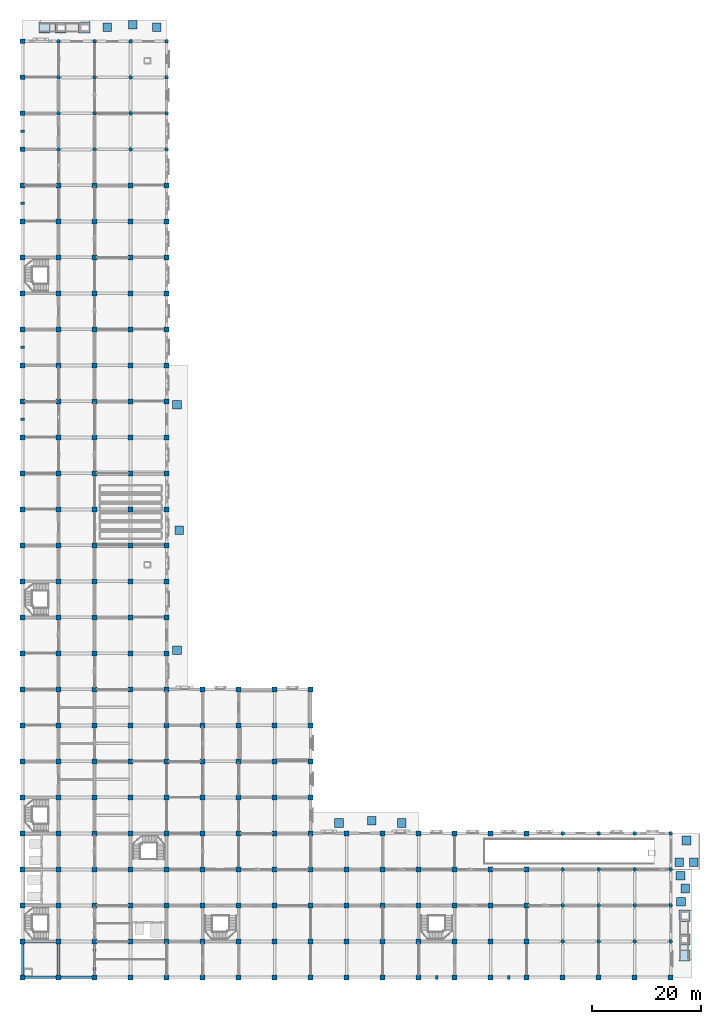
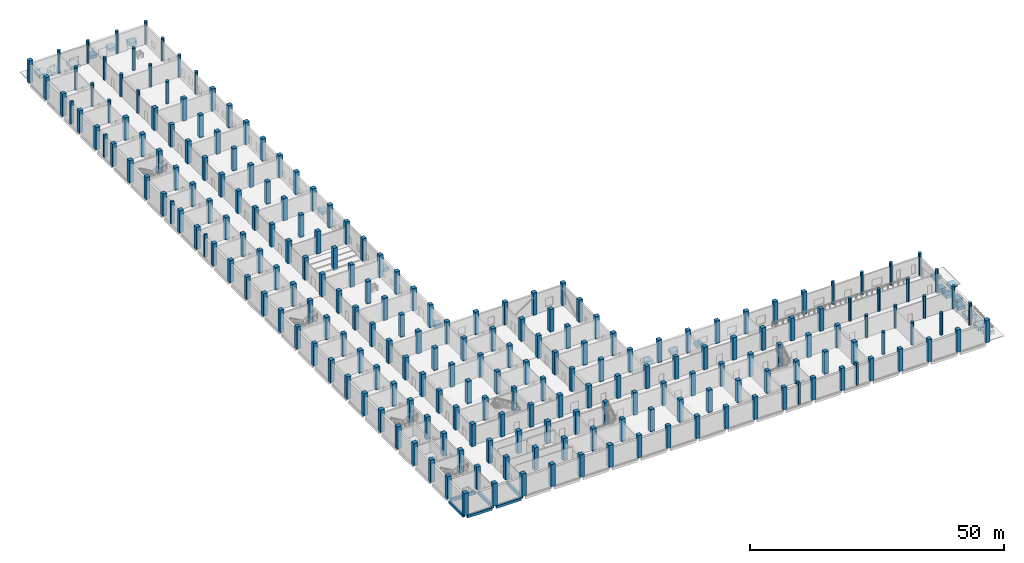
# One storey, part 1 of 28: 227 columns, 21 footings, 6 beams.
"""IFC4 building model written with IfcOpenShell, lengths in metres."""

from ifc_helpers import new_model, si_unit, direction, frame, origin, origin_2d, place, context, subcontext, project, spatial, rectangle, circle, extrude, material, material_profile, profile_set, type_object, element, save


model = new_model("IFC4")

# Units and contexts
model_context = context("Model", 3, precision=1e-05, world=origin(), true_north=direction((0.0, 1.0)))
body_context = subcontext(model_context, "Body", "Model", "MODEL_VIEW")
ifc_project = project(units=[si_unit("LENGTHUNIT", "METRE"), si_unit("AREAUNIT", "SQUARE_METRE"), si_unit("VOLUMEUNIT", "CUBIC_METRE"), si_unit("PLANEANGLEUNIT", "RADIAN"), si_unit("MASSUNIT", "GRAM", prefix="KILO")], contexts=[model_context])

# Site, building, storey
site_placement = place(None, origin())
site = spatial("IfcSite", under=ifc_project, at=site_placement, CompositionType="ELEMENT")
building_placement = place(site_placement, origin())
building = spatial("IfcBuilding", under=site, at=building_placement, Name="Rusizi Kubbe Research Institute", CompositionType="ELEMENT")
storey_placement = place(building_placement, origin())
storey = spatial("IfcBuildingStorey", under=building, at=storey_placement, Name="L00", CompositionType="ELEMENT", Elevation=0.0)

# Footings
ifc_material_1 = material(Name="Concrete C40/50", Category="concrete")
footing_type_1 = type_object("IfcFootingType", Name="PF-04", PredefinedType="PAD_FOOTING", material=ifc_material_1)
for number, where, z_axis, x_axis, name in (
    (1, (15.5, 174.199951171875, -0.9501953125), (0.0, 0.0, 1.0), (1.0, 0.0, 0.0), "Forecourt Threshold Grade Pad NORTH-STREET-1-1"),
    (2, (20.199951171875, 174.60009765625, -0.9501953125), (0.0, 0.0, 1.0), (1.0, 0.0, 0.0), "Forecourt Threshold Grade Pad NORTH-STREET-1-2"),
    (3, (24.60009765625, 174.14990234375, -0.9501953125), (0.0, 0.0, 1.0), (1.0, 0.0, 0.0), "Forecourt Threshold Grade Pad NORTH-STREET-1-3"),
    (4, (120.699951171875, 13.89990234375, -0.9501953125), (0.0, 0.0, 1.0), (1.0, 0.0, 0.0), "Forecourt Threshold Grade Pad EAST-STREET-1-1"),
    (5, (121.5, 16.300048828125, -0.9501953125), (0.0, 0.0, 1.0), (1.0, 0.0, 0.0), "Forecourt Threshold Grade Pad EAST-STREET-1-2"),
    (6, (120.60009765625, 18.60009765625, -0.9501953125), (0.0, 0.0, 1.0), (1.0, 0.0, 0.0), "Forecourt Threshold Grade Pad EAST-STREET-1-3"),
    (7, (120.39990234375, 21.10009765625, -0.9501953125), (0.0, 0.0, 1.0), (1.0, 0.0, 0.0), "Forecourt Threshold Grade Pad VEH-DRIVEWAY-1-1"),
    (8, (123.0, 21.10009765625, -0.9501953125), (0.0, 0.0, 1.0), (1.0, 0.0, 0.0), "Forecourt Threshold Grade Pad VEH-DRIVEWAY-1-2"),
    (9, (121.699951171875, 25.10009765625, -0.9501953125), (0.0, 0.0, 1.0), (1.0, 0.0, 0.0), "Forecourt Threshold Grade Pad VEH-DRIVEWAY-1-3"),
    (10, (28.300048828125, 60.0, -0.9501953125), (0.0, 0.0, 1.0), (1.0, 0.0, 0.0), "Forecourt Threshold Grade Pad CLOISTER-WEST-1-1"),
    (11, (28.75, 82.0, -0.9501953125), (0.0, 0.0, 1.0), (1.0, 0.0, 0.0), "Forecourt Threshold Grade Pad CLOISTER-WEST-1-2"),
    (12, (28.300048828125, 105.0, -0.9501953125), (0.0, 0.0, 1.0), (1.0, 0.0, 0.0), "Forecourt Threshold Grade Pad CLOISTER-WEST-1-3"),
    (13, (58.0, 28.300048828125, -0.9501953125), (0.0, 0.0, 1.0), (1.0, 0.0, 0.0), "Forecourt Threshold Grade Pad CLOISTER-SOUTH-1-1"),
    (14, (64.0, 28.75, -0.9501953125), (0.0, 0.0, 1.0), (1.0, 0.0, 0.0), "Forecourt Threshold Grade Pad CLOISTER-SOUTH-1-2"),
    (15, (69.5, 28.300048828125, -0.9501953125), (0.0, 0.0, 1.0), (1.0, 0.0, 0.0), "Forecourt Threshold Grade Pad CLOISTER-SOUTH-1-3"),
):
    element("IfcFooting", number, at=place(storey_placement, frame(where, z_axis=z_axis, x_axis=x_axis)), inside=storey, type_object=footing_type_1, Name=name, PredefinedType="PAD_FOOTING", context=body_context, shape_type="SweptSolid", body=[
        extrude(rectangle(XDim=1.580078125, YDim=1.580078125, at=origin_2d()), origin(), (0.0, 0.0, 1.0), 0.800048828125),
    ])
ifc_material_2 = material(Name="Concrete C40/50", Category="concrete")
footing_type_2 = type_object("IfcFootingType", Name="PF-08", PredefinedType="PAD_FOOTING", material=ifc_material_2)
for number, where, z_axis, x_axis, name in (
    (16, (4.050048828125, 174.10009765625, -1.240234375), (0.0, 0.0, 1.0), (1.0, 0.0, 0.0), "Ramp Toe Footing RAMP-NORTH-01-1"),
    (17, (6.93994140625, 174.10009765625, -1.72021484375), (0.0, 0.0, 1.0), (1.0, 0.0, 0.0), "Ramp Landing Footing RAMP-NORTH-01-2"),
    (18, (11.300048828125, 174.10009765625, -1.72021484375), (0.0, 0.0, 1.0), (1.0, 0.0, 0.0), "Ramp Landing Footing RAMP-NORTH-01-3"),
    (19, (121.300048828125, 4.050048828125, -1.240234375), (0.0, 0.0, 1.0), (1.0, 0.0, 0.0), "Ramp Toe Footing RAMP-EAST-01-1"),
    (20, (121.300048828125, 6.93994140625, -1.72021484375), (0.0, 0.0, 1.0), (1.0, 0.0, 0.0), "Ramp Landing Footing RAMP-EAST-01-2"),
    (21, (121.300048828125, 11.300048828125, -1.72021484375), (0.0, 0.0, 1.0), (1.0, 0.0, 0.0), "Ramp Landing Footing RAMP-EAST-01-3"),
):
    element("IfcFooting", number, at=place(storey_placement, frame(where, z_axis=z_axis, x_axis=x_axis)), inside=storey, type_object=footing_type_2, Name=name, PredefinedType="PAD_FOOTING", context=body_context, shape_type="SweptSolid", body=[
        extrude(rectangle(XDim=2.0400390625, YDim=2.0400390625, at=origin_2d()), origin(), (0.0, 0.0, 1.0), 0.820068359375),
    ])

# Columns
ifc_material_3 = material(Name="Concrete C45/55", Category="concrete")
ifc_material_profile_1 = material_profile(ifc_material_3, rectangle(XDim=0.89990234375, YDim=0.89990234375, at=origin_2d()), Name="RC900x900")
ifc_profile_set_1 = profile_set([ifc_material_profile_1], Name="Concrete C45/55")
column_type_1 = type_object("IfcColumnType", Name="COL-900", PredefinedType="COLUMN", material=ifc_profile_set_1)
for number, where, z_axis, x_axis, name in (
    (22, (0.0, 59.39990234375, 0.0), (0.0, 0.0, 1.0), (1.0, 0.0, 0.0), "Column 1K L00"),
    (23, (0.0, 66.0, 0.0), (0.0, 0.0, 1.0), (1.0, 0.0, 0.0), "Column 1L L00"),
    (24, (0.0, 72.60009765625, 0.0), (0.0, 0.0, 1.0), (1.0, 0.0, 0.0), "Column 1M L00"),
    (25, (0.0, 79.199951171875, 0.0), (0.0, 0.0, 1.0), (1.0, 0.0, 0.0), "Column 1N L00"),
    (26, (0.0, 85.800048828125, 0.0), (0.0, 0.0, 1.0), (1.0, 0.0, 0.0), "Column 1P L00"),
    (27, (0.0, 92.39990234375, 0.0), (0.0, 0.0, 1.0), (1.0, 0.0, 0.0), "Column 1Q L00"),
    (28, (0.0, 99.0, 0.0), (0.0, 0.0, 1.0), (1.0, 0.0, 0.0), "Column 1R L00"),
    (29, (0.0, 105.60009765625, 0.0), (0.0, 0.0, 1.0), (1.0, 0.0, 0.0), "Column 1S L00"),
    (30, (0.0, 112.199951171875, 0.0), (0.0, 0.0, 1.0), (1.0, 0.0, 0.0), "Column 1T L00"),
    (31, (0.0, 118.800048828125, 0.0), (0.0, 0.0, 1.0), (1.0, 0.0, 0.0), "Column 1U L00"),
    (32, (0.0, 125.39990234375, 0.0), (0.0, 0.0, 1.0), (1.0, 0.0, 0.0), "Column 1V L00"),
    (33, (0.0, 132.0, 0.0), (0.0, 0.0, 1.0), (1.0, 0.0, 0.0), "Column 1W L00"),
    (34, (0.0, 138.60009765625, 0.0), (0.0, 0.0, 1.0), (1.0, 0.0, 0.0), "Column 1X L00"),
    (35, (0.0, 145.199951171875, 0.0), (0.0, 0.0, 1.0), (1.0, 0.0, 0.0), "Column 1Y L00"),
    (36, (0.0, 151.800048828125, 0.0), (0.0, 0.0, 1.0), (1.0, 0.0, 0.0), "Column 1Z L00"),
    (37, (0.0, 158.39990234375, 0.0), (0.0, 0.0, 1.0), (1.0, 0.0, 0.0), "Column 1AA L00"),
    (38, (0.0, 165.0, 0.0), (0.0, 0.0, 1.0), (1.0, 0.0, 0.0), "Column 1AB L00"),
    (39, (0.0, 171.60009765625, 0.0), (0.0, 0.0, 1.0), (1.0, 0.0, 0.0), "Column 1AC L00"),
    (40, (6.60009765625, 59.39990234375, 0.0), (0.0, 0.0, 1.0), (1.0, 0.0, 0.0), "Column 2K L00"),
    (41, (6.60009765625, 66.0, 0.0), (0.0, 0.0, 1.0), (1.0, 0.0, 0.0), "Column 2L L00"),
    (42, (6.60009765625, 72.60009765625, 0.0), (0.0, 0.0, 1.0), (1.0, 0.0, 0.0), "Column 2M L00"),
    (43, (6.60009765625, 79.199951171875, 0.0), (0.0, 0.0, 1.0), (1.0, 0.0, 0.0), "Column 2N L00"),
    (44, (6.60009765625, 85.800048828125, 0.0), (0.0, 0.0, 1.0), (1.0, 0.0, 0.0), "Column 2P L00"),
    (45, (6.60009765625, 92.39990234375, 0.0), (0.0, 0.0, 1.0), (1.0, 0.0, 0.0), "Column 2Q L00"),
    (46, (6.60009765625, 99.0, 0.0), (0.0, 0.0, 1.0), (1.0, 0.0, 0.0), "Column 2R L00"),
    (47, (6.60009765625, 105.60009765625, 0.0), (0.0, 0.0, 1.0), (1.0, 0.0, 0.0), "Column 2S L00"),
    (48, (6.60009765625, 112.199951171875, 0.0), (0.0, 0.0, 1.0), (1.0, 0.0, 0.0), "Column 2T L00"),
    (49, (6.60009765625, 118.800048828125, 0.0), (0.0, 0.0, 1.0), (1.0, 0.0, 0.0), "Column 2U L00"),
    (50, (6.60009765625, 125.39990234375, 0.0), (0.0, 0.0, 1.0), (1.0, 0.0, 0.0), "Column 2V L00"),
    (51, (6.60009765625, 132.0, 0.0), (0.0, 0.0, 1.0), (1.0, 0.0, 0.0), "Column 2W L00"),
    (52, (6.60009765625, 138.60009765625, 0.0), (0.0, 0.0, 1.0), (1.0, 0.0, 0.0), "Column 2X L00"),
    (53, (6.60009765625, 145.199951171875, 0.0), (0.0, 0.0, 1.0), (1.0, 0.0, 0.0), "Column 2Y L00"),
    (54, (13.199951171875, 59.39990234375, 0.0), (0.0, 0.0, 1.0), (1.0, 0.0, 0.0), "Column 3K L00"),
    (55, (13.199951171875, 66.0, 0.0), (0.0, 0.0, 1.0), (1.0, 0.0, 0.0), "Column 3L L00"),
    (56, (13.199951171875, 72.60009765625, 0.0), (0.0, 0.0, 1.0), (1.0, 0.0, 0.0), "Column 3M L00"),
    (57, (13.199951171875, 79.199951171875, 0.0), (0.0, 0.0, 1.0), (1.0, 0.0, 0.0), "Column 3N L00"),
    (58, (13.199951171875, 85.800048828125, 0.0), (0.0, 0.0, 1.0), (1.0, 0.0, 0.0), "Column 3P L00"),
    (59, (13.199951171875, 92.39990234375, 0.0), (0.0, 0.0, 1.0), (1.0, 0.0, 0.0), "Column 3Q L00"),
    (60, (13.199951171875, 99.0, 0.0), (0.0, 0.0, 1.0), (1.0, 0.0, 0.0), "Column 3R L00"),
    (61, (13.199951171875, 105.60009765625, 0.0), (0.0, 0.0, 1.0), (1.0, 0.0, 0.0), "Column 3S L00"),
    (62, (13.199951171875, 112.199951171875, 0.0), (0.0, 0.0, 1.0), (1.0, 0.0, 0.0), "Column 3T L00"),
    (63, (13.199951171875, 118.800048828125, 0.0), (0.0, 0.0, 1.0), (1.0, 0.0, 0.0), "Column 3U L00"),
    (64, (13.199951171875, 125.39990234375, 0.0), (0.0, 0.0, 1.0), (1.0, 0.0, 0.0), "Column 3V L00"),
    (65, (13.199951171875, 132.0, 0.0), (0.0, 0.0, 1.0), (1.0, 0.0, 0.0), "Column 3W L00"),
    (66, (13.199951171875, 138.60009765625, 0.0), (0.0, 0.0, 1.0), (1.0, 0.0, 0.0), "Column 3X L00"),
    (67, (13.199951171875, 145.199951171875, 0.0), (0.0, 0.0, 1.0), (1.0, 0.0, 0.0), "Column 3Y L00"),
    (68, (19.800048828125, 59.39990234375, 0.0), (0.0, 0.0, 1.0), (1.0, 0.0, 0.0), "Column 4K L00"),
    (69, (19.800048828125, 66.0, 0.0), (0.0, 0.0, 1.0), (1.0, 0.0, 0.0), "Column 4L L00"),
    (70, (19.800048828125, 72.60009765625, 0.0), (0.0, 0.0, 1.0), (1.0, 0.0, 0.0), "Column 4M L00"),
    (71, (19.800048828125, 79.199951171875, 0.0), (0.0, 0.0, 1.0), (1.0, 0.0, 0.0), "Column 4N L00"),
    (72, (19.800048828125, 85.800048828125, 0.0), (0.0, 0.0, 1.0), (1.0, 0.0, 0.0), "Column 4P L00"),
    (73, (19.800048828125, 92.39990234375, 0.0), (0.0, 0.0, 1.0), (1.0, 0.0, 0.0), "Column 4Q L00"),
    (74, (19.800048828125, 99.0, 0.0), (0.0, 0.0, 1.0), (1.0, 0.0, 0.0), "Column 4R L00"),
    (75, (19.800048828125, 105.60009765625, 0.0), (0.0, 0.0, 1.0), (1.0, 0.0, 0.0), "Column 4S L00"),
    (76, (19.800048828125, 112.199951171875, 0.0), (0.0, 0.0, 1.0), (1.0, 0.0, 0.0), "Column 4T L00"),
    (77, (19.800048828125, 118.800048828125, 0.0), (0.0, 0.0, 1.0), (1.0, 0.0, 0.0), "Column 4U L00"),
    (78, (19.800048828125, 125.39990234375, 0.0), (0.0, 0.0, 1.0), (1.0, 0.0, 0.0), "Column 4V L00"),
    (79, (19.800048828125, 132.0, 0.0), (0.0, 0.0, 1.0), (1.0, 0.0, 0.0), "Column 4W L00"),
    (80, (19.800048828125, 138.60009765625, 0.0), (0.0, 0.0, 1.0), (1.0, 0.0, 0.0), "Column 4X L00"),
    (81, (19.800048828125, 145.199951171875, 0.0), (0.0, 0.0, 1.0), (1.0, 0.0, 0.0), "Column 4Y L00"),
    (82, (26.39990234375, 26.39990234375, 0.0), (0.0, 0.0, 1.0), (1.0, 0.0, 0.0), "Column 5E L00"),
    (83, (26.39990234375, 33.0, 0.0), (0.0, 0.0, 1.0), (1.0, 0.0, 0.0), "Column 5F L00"),
    (84, (26.39990234375, 39.60009765625, 0.0), (0.0, 0.0, 1.0), (1.0, 0.0, 0.0), "Column 5G L00"),
    (85, (26.39990234375, 46.199951171875, 0.0), (0.0, 0.0, 1.0), (1.0, 0.0, 0.0), "Column 5H L00"),
    (86, (26.39990234375, 52.800048828125, 0.0), (0.0, 0.0, 1.0), (1.0, 0.0, 0.0), "Column 5J L00"),
    (87, (26.39990234375, 59.39990234375, 0.0), (0.0, 0.0, 1.0), (1.0, 0.0, 0.0), "Column 5K L00"),
    (88, (26.39990234375, 66.0, 0.0), (0.0, 0.0, 1.0), (1.0, 0.0, 0.0), "Column 5L L00"),
    (89, (26.39990234375, 72.60009765625, 0.0), (0.0, 0.0, 1.0), (1.0, 0.0, 0.0), "Column 5M L00"),
    (90, (26.39990234375, 79.199951171875, 0.0), (0.0, 0.0, 1.0), (1.0, 0.0, 0.0), "Column 5N L00"),
    (91, (26.39990234375, 85.800048828125, 0.0), (0.0, 0.0, 1.0), (1.0, 0.0, 0.0), "Column 5P L00"),
    (92, (26.39990234375, 92.39990234375, 0.0), (0.0, 0.0, 1.0), (1.0, 0.0, 0.0), "Column 5Q L00"),
    (93, (26.39990234375, 99.0, 0.0), (0.0, 0.0, 1.0), (1.0, 0.0, 0.0), "Column 5R L00"),
    (94, (26.39990234375, 105.60009765625, 0.0), (0.0, 0.0, 1.0), (1.0, 0.0, 0.0), "Column 5S L00"),
    (95, (26.39990234375, 112.199951171875, 0.0), (0.0, 0.0, 1.0), (1.0, 0.0, 0.0), "Column 5T L00"),
    (96, (26.39990234375, 118.800048828125, 0.0), (0.0, 0.0, 1.0), (1.0, 0.0, 0.0), "Column 5U L00"),
    (97, (26.39990234375, 125.39990234375, 0.0), (0.0, 0.0, 1.0), (1.0, 0.0, 0.0), "Column 5V L00"),
    (98, (26.39990234375, 132.0, 0.0), (0.0, 0.0, 1.0), (1.0, 0.0, 0.0), "Column 5W L00"),
    (99, (26.39990234375, 138.60009765625, 0.0), (0.0, 0.0, 1.0), (1.0, 0.0, 0.0), "Column 5X L00"),
    (100, (26.39990234375, 145.199951171875, 0.0), (0.0, 0.0, 1.0), (1.0, 0.0, 0.0), "Column 5Y L00"),
    (101, (33.0, 26.39990234375, 0.0), (0.0, 0.0, 1.0), (1.0, 0.0, 0.0), "Column 6E L00"),
    (102, (33.0, 33.0, 0.0), (0.0, 0.0, 1.0), (1.0, 0.0, 0.0), "Column 6F L00"),
    (103, (33.0, 39.60009765625, 0.0), (0.0, 0.0, 1.0), (1.0, 0.0, 0.0), "Column 6G L00"),
    (104, (33.0, 46.199951171875, 0.0), (0.0, 0.0, 1.0), (1.0, 0.0, 0.0), "Column 6H L00"),
    (105, (33.0, 52.800048828125, 0.0), (0.0, 0.0, 1.0), (1.0, 0.0, 0.0), "Column 6J L00"),
    (106, (39.60009765625, 0.0, 0.0), (0.0, 0.0, 1.0), (1.0, 0.0, 0.0), "Column 7A L00"),
    (107, (39.60009765625, 6.60009765625, 0.0), (0.0, 0.0, 1.0), (1.0, 0.0, 0.0), "Column 7B L00"),
    (108, (39.60009765625, 13.199951171875, 0.0), (0.0, 0.0, 1.0), (1.0, 0.0, 0.0), "Column 7C L00"),
    (109, (39.60009765625, 19.800048828125, 0.0), (0.0, 0.0, 1.0), (1.0, 0.0, 0.0), "Column 7D L00"),
    (110, (39.60009765625, 26.39990234375, 0.0), (0.0, 0.0, 1.0), (1.0, 0.0, 0.0), "Column 7E L00"),
    (111, (39.60009765625, 33.0, 0.0), (0.0, 0.0, 1.0), (1.0, 0.0, 0.0), "Column 7F L00"),
    (112, (39.60009765625, 39.60009765625, 0.0), (0.0, 0.0, 1.0), (1.0, 0.0, 0.0), "Column 7G L00"),
    (113, (39.60009765625, 46.199951171875, 0.0), (0.0, 0.0, 1.0), (1.0, 0.0, 0.0), "Column 7H L00"),
    (114, (39.60009765625, 52.800048828125, 0.0), (0.0, 0.0, 1.0), (1.0, 0.0, 0.0), "Column 7J L00"),
    (115, (46.199951171875, 0.0, 0.0), (0.0, 0.0, 1.0), (1.0, 0.0, 0.0), "Column 8A L00"),
    (116, (46.199951171875, 6.60009765625, 0.0), (0.0, 0.0, 1.0), (1.0, 0.0, 0.0), "Column 8B L00"),
    (117, (46.199951171875, 13.199951171875, 0.0), (0.0, 0.0, 1.0), (1.0, 0.0, 0.0), "Column 8C L00"),
    (118, (46.199951171875, 19.800048828125, 0.0), (0.0, 0.0, 1.0), (1.0, 0.0, 0.0), "Column 8D L00"),
    (119, (46.199951171875, 26.39990234375, 0.0), (0.0, 0.0, 1.0), (1.0, 0.0, 0.0), "Column 8E L00"),
    (120, (46.199951171875, 33.0, 0.0), (0.0, 0.0, 1.0), (1.0, 0.0, 0.0), "Column 8F L00"),
    (121, (46.199951171875, 39.60009765625, 0.0), (0.0, 0.0, 1.0), (1.0, 0.0, 0.0), "Column 8G L00"),
    (122, (46.199951171875, 46.199951171875, 0.0), (0.0, 0.0, 1.0), (1.0, 0.0, 0.0), "Column 8H L00"),
    (123, (46.199951171875, 52.800048828125, 0.0), (0.0, 0.0, 1.0), (1.0, 0.0, 0.0), "Column 8J L00"),
    (124, (52.800048828125, 0.0, 0.0), (0.0, 0.0, 1.0), (1.0, 0.0, 0.0), "Column 9A L00"),
    (125, (52.800048828125, 6.60009765625, 0.0), (0.0, 0.0, 1.0), (1.0, 0.0, 0.0), "Column 9B L00"),
    (126, (52.800048828125, 13.199951171875, 0.0), (0.0, 0.0, 1.0), (1.0, 0.0, 0.0), "Column 9C L00"),
    (127, (52.800048828125, 19.800048828125, 0.0), (0.0, 0.0, 1.0), (1.0, 0.0, 0.0), "Column 9D L00"),
    (128, (52.800048828125, 26.39990234375, 0.0), (0.0, 0.0, 1.0), (1.0, 0.0, 0.0), "Column 9E L00"),
    (129, (52.800048828125, 33.0, 0.0), (0.0, 0.0, 1.0), (1.0, 0.0, 0.0), "Column 9F L00"),
    (130, (52.800048828125, 39.60009765625, 0.0), (0.0, 0.0, 1.0), (1.0, 0.0, 0.0), "Column 9G L00"),
    (131, (52.800048828125, 46.199951171875, 0.0), (0.0, 0.0, 1.0), (1.0, 0.0, 0.0), "Column 9H L00"),
    (132, (52.800048828125, 52.800048828125, 0.0), (0.0, 0.0, 1.0), (1.0, 0.0, 0.0), "Column 9J L00"),
    (133, (59.39990234375, 0.0, 0.0), (0.0, 0.0, 1.0), (1.0, 0.0, 0.0), "Column 10A L00"),
    (134, (59.39990234375, 6.60009765625, 0.0), (0.0, 0.0, 1.0), (1.0, 0.0, 0.0), "Column 10B L00"),
    (135, (59.39990234375, 13.199951171875, 0.0), (0.0, 0.0, 1.0), (1.0, 0.0, 0.0), "Column 10C L00"),
    (136, (59.39990234375, 19.800048828125, 0.0), (0.0, 0.0, 1.0), (1.0, 0.0, 0.0), "Column 10D L00"),
    (137, (59.39990234375, 26.39990234375, 0.0), (0.0, 0.0, 1.0), (1.0, 0.0, 0.0), "Column 10E L00"),
    (138, (66.0, 0.0, 0.0), (0.0, 0.0, 1.0), (1.0, 0.0, 0.0), "Column 11A L00"),
    (139, (66.0, 6.60009765625, 0.0), (0.0, 0.0, 1.0), (1.0, 0.0, 0.0), "Column 11B L00"),
    (140, (66.0, 13.199951171875, 0.0), (0.0, 0.0, 1.0), (1.0, 0.0, 0.0), "Column 11C L00"),
    (141, (66.0, 19.800048828125, 0.0), (0.0, 0.0, 1.0), (1.0, 0.0, 0.0), "Column 11D L00"),
    (142, (66.0, 26.39990234375, 0.0), (0.0, 0.0, 1.0), (1.0, 0.0, 0.0), "Column 11E L00"),
    (143, (72.60009765625, 0.0, 0.0), (0.0, 0.0, 1.0), (1.0, 0.0, 0.0), "Column 12A L00"),
    (144, (72.60009765625, 6.60009765625, 0.0), (0.0, 0.0, 1.0), (1.0, 0.0, 0.0), "Column 12B L00"),
    (145, (72.60009765625, 13.199951171875, 0.0), (0.0, 0.0, 1.0), (1.0, 0.0, 0.0), "Column 12C L00"),
    (146, (72.60009765625, 19.800048828125, 0.0), (0.0, 0.0, 1.0), (1.0, 0.0, 0.0), "Column 12D L00"),
    (147, (72.60009765625, 26.39990234375, 0.0), (0.0, 0.0, 1.0), (1.0, 0.0, 0.0), "Column 12E L00"),
    (148, (79.199951171875, 0.0, 0.0), (0.0, 0.0, 1.0), (1.0, 0.0, 0.0), "Column 13A L00"),
    (149, (79.199951171875, 6.60009765625, 0.0), (0.0, 0.0, 1.0), (1.0, 0.0, 0.0), "Column 13B L00"),
    (150, (79.199951171875, 13.199951171875, 0.0), (0.0, 0.0, 1.0), (1.0, 0.0, 0.0), "Column 13C L00"),
    (151, (79.199951171875, 19.800048828125, 0.0), (0.0, 0.0, 1.0), (1.0, 0.0, 0.0), "Column 13D L00"),
    (152, (79.199951171875, 26.39990234375, 0.0), (0.0, 0.0, 1.0), (1.0, 0.0, 0.0), "Column 13E L00"),
    (153, (85.800048828125, 0.0, 0.0), (0.0, 0.0, 1.0), (1.0, 0.0, 0.0), "Column 14A L00"),
    (154, (85.800048828125, 6.60009765625, 0.0), (0.0, 0.0, 1.0), (1.0, 0.0, 0.0), "Column 14B L00"),
    (155, (85.800048828125, 13.199951171875, 0.0), (0.0, 0.0, 1.0), (1.0, 0.0, 0.0), "Column 14C L00"),
    (156, (85.800048828125, 19.800048828125, 0.0), (0.0, 0.0, 1.0), (1.0, 0.0, 0.0), "Column 14D L00"),
    (157, (85.800048828125, 26.39990234375, 0.0), (0.0, 0.0, 1.0), (1.0, 0.0, 0.0), "Column 14E L00"),
    (158, (92.39990234375, 0.0, 0.0), (0.0, 0.0, 1.0), (1.0, 0.0, 0.0), "Column 15A L00"),
    (159, (92.39990234375, 6.60009765625, 0.0), (0.0, 0.0, 1.0), (1.0, 0.0, 0.0), "Column 15B L00"),
    (160, (92.39990234375, 13.199951171875, 0.0), (0.0, 0.0, 1.0), (1.0, 0.0, 0.0), "Column 15C L00"),
    (161, (92.39990234375, 19.800048828125, 0.0), (0.0, 0.0, 1.0), (1.0, 0.0, 0.0), "Column 15D L00"),
    (162, (92.39990234375, 26.39990234375, 0.0), (0.0, 0.0, 1.0), (1.0, 0.0, 0.0), "Column 15E L00"),
    (163, (99.0, 0.0, 0.0), (0.0, 0.0, 1.0), (1.0, 0.0, 0.0), "Column 16A L00"),
    (164, (105.60009765625, 0.0, 0.0), (0.0, 0.0, 1.0), (1.0, 0.0, 0.0), "Column 17A L00"),
    (165, (112.199951171875, 0.0, 0.0), (0.0, 0.0, 1.0), (1.0, 0.0, 0.0), "Column 18A L00"),
    (166, (118.800048828125, 0.0, 0.0), (0.0, 0.0, 1.0), (1.0, 0.0, 0.0), "Column 19A L00"),
):
    element("IfcColumn", number, at=place(storey_placement, frame(where, z_axis=z_axis, x_axis=x_axis)), inside=storey, type_object=column_type_1, Name=name, PredefinedType="COLUMN", context=body_context, shape_type="SweptSolid", body=[
        extrude(rectangle(XDim=0.89990234375, YDim=0.89990234375, at=origin_2d()), origin(), (0.0, 0.0, 1.0), 5.39990234375),
    ])
ifc_material_4 = material(Name="Concrete C45/55", Category="concrete")
ifc_material_profile_2 = material_profile(ifc_material_4, rectangle(XDim=0.949951171875, YDim=0.949951171875, at=origin_2d()), Name="RC950x950")
ifc_profile_set_2 = profile_set([ifc_material_profile_2], Name="Concrete C45/55")
column_type_2 = type_object("IfcColumnType", Name="COL-950", PredefinedType="COLUMN", material=ifc_profile_set_2)
for number, where, z_axis, x_axis, name in (
    (167, (0.0, 0.0, 0.0), (0.0, 0.0, 1.0), (1.0, 0.0, 0.0), "Column 1A L00"),
    (168, (0.0, 6.60009765625, 0.0), (0.0, 0.0, 1.0), (1.0, 0.0, 0.0), "Column 1B L00"),
    (169, (0.0, 13.199951171875, 0.0), (0.0, 0.0, 1.0), (1.0, 0.0, 0.0), "Column 1C L00"),
    (170, (0.0, 19.800048828125, 0.0), (0.0, 0.0, 1.0), (1.0, 0.0, 0.0), "Column 1D L00"),
    (171, (0.0, 26.39990234375, 0.0), (0.0, 0.0, 1.0), (1.0, 0.0, 0.0), "Column 1E L00"),
    (172, (0.0, 33.0, 0.0), (0.0, 0.0, 1.0), (1.0, 0.0, 0.0), "Column 1F L00"),
    (173, (0.0, 39.60009765625, 0.0), (0.0, 0.0, 1.0), (1.0, 0.0, 0.0), "Column 1G L00"),
    (174, (0.0, 46.199951171875, 0.0), (0.0, 0.0, 1.0), (1.0, 0.0, 0.0), "Column 1H L00"),
    (175, (0.0, 52.800048828125, 0.0), (0.0, 0.0, 1.0), (1.0, 0.0, 0.0), "Column 1J L00"),
    (176, (6.60009765625, 0.0, 0.0), (0.0, 0.0, 1.0), (1.0, 0.0, 0.0), "Column 2A L00"),
    (177, (6.60009765625, 6.60009765625, 0.0), (0.0, 0.0, 1.0), (1.0, 0.0, 0.0), "Column 2B L00"),
    (178, (6.60009765625, 13.199951171875, 0.0), (0.0, 0.0, 1.0), (1.0, 0.0, 0.0), "Column 2C L00"),
    (179, (6.60009765625, 19.800048828125, 0.0), (0.0, 0.0, 1.0), (1.0, 0.0, 0.0), "Column 2D L00"),
    (180, (6.60009765625, 26.39990234375, 0.0), (0.0, 0.0, 1.0), (1.0, 0.0, 0.0), "Column 2E L00"),
    (181, (6.60009765625, 33.0, 0.0), (0.0, 0.0, 1.0), (1.0, 0.0, 0.0), "Column 2F L00"),
    (182, (6.60009765625, 39.60009765625, 0.0), (0.0, 0.0, 1.0), (1.0, 0.0, 0.0), "Column 2G L00"),
    (183, (6.60009765625, 46.199951171875, 0.0), (0.0, 0.0, 1.0), (1.0, 0.0, 0.0), "Column 2H L00"),
    (184, (6.60009765625, 52.800048828125, 0.0), (0.0, 0.0, 1.0), (1.0, 0.0, 0.0), "Column 2J L00"),
    (185, (13.199951171875, 0.0, 0.0), (0.0, 0.0, 1.0), (1.0, 0.0, 0.0), "Column 3A L00"),
    (186, (13.199951171875, 6.60009765625, 0.0), (0.0, 0.0, 1.0), (1.0, 0.0, 0.0), "Column 3B L00"),
    (187, (13.199951171875, 13.199951171875, 0.0), (0.0, 0.0, 1.0), (1.0, 0.0, 0.0), "Column 3C L00"),
    (188, (13.199951171875, 19.800048828125, 0.0), (0.0, 0.0, 1.0), (1.0, 0.0, 0.0), "Column 3D L00"),
    (189, (13.199951171875, 26.39990234375, 0.0), (0.0, 0.0, 1.0), (1.0, 0.0, 0.0), "Column 3E L00"),
    (190, (13.199951171875, 33.0, 0.0), (0.0, 0.0, 1.0), (1.0, 0.0, 0.0), "Column 3F L00"),
    (191, (13.199951171875, 39.60009765625, 0.0), (0.0, 0.0, 1.0), (1.0, 0.0, 0.0), "Column 3G L00"),
    (192, (13.199951171875, 46.199951171875, 0.0), (0.0, 0.0, 1.0), (1.0, 0.0, 0.0), "Column 3H L00"),
    (193, (13.199951171875, 52.800048828125, 0.0), (0.0, 0.0, 1.0), (1.0, 0.0, 0.0), "Column 3J L00"),
    (194, (19.800048828125, 0.0, 0.0), (0.0, 0.0, 1.0), (1.0, 0.0, 0.0), "Column 4A L00"),
    (195, (19.800048828125, 6.60009765625, 0.0), (0.0, 0.0, 1.0), (1.0, 0.0, 0.0), "Column 4B L00"),
    (196, (19.800048828125, 13.199951171875, 0.0), (0.0, 0.0, 1.0), (1.0, 0.0, 0.0), "Column 4C L00"),
    (197, (19.800048828125, 19.800048828125, 0.0), (0.0, 0.0, 1.0), (1.0, 0.0, 0.0), "Column 4D L00"),
    (198, (19.800048828125, 26.39990234375, 0.0), (0.0, 0.0, 1.0), (1.0, 0.0, 0.0), "Column 4E L00"),
    (199, (19.800048828125, 33.0, 0.0), (0.0, 0.0, 1.0), (1.0, 0.0, 0.0), "Column 4F L00"),
    (200, (19.800048828125, 39.60009765625, 0.0), (0.0, 0.0, 1.0), (1.0, 0.0, 0.0), "Column 4G L00"),
    (201, (19.800048828125, 46.199951171875, 0.0), (0.0, 0.0, 1.0), (1.0, 0.0, 0.0), "Column 4H L00"),
    (202, (19.800048828125, 52.800048828125, 0.0), (0.0, 0.0, 1.0), (1.0, 0.0, 0.0), "Column 4J L00"),
    (203, (26.39990234375, 0.0, 0.0), (0.0, 0.0, 1.0), (1.0, 0.0, 0.0), "Column 5A L00"),
    (204, (26.39990234375, 6.60009765625, 0.0), (0.0, 0.0, 1.0), (1.0, 0.0, 0.0), "Column 5B L00"),
    (205, (26.39990234375, 13.199951171875, 0.0), (0.0, 0.0, 1.0), (1.0, 0.0, 0.0), "Column 5C L00"),
    (206, (26.39990234375, 19.800048828125, 0.0), (0.0, 0.0, 1.0), (1.0, 0.0, 0.0), "Column 5D L00"),
    (207, (33.0, 0.0, 0.0), (0.0, 0.0, 1.0), (1.0, 0.0, 0.0), "Column 6A L00"),
    (208, (33.0, 6.60009765625, 0.0), (0.0, 0.0, 1.0), (1.0, 0.0, 0.0), "Column 6B L00"),
    (209, (33.0, 13.199951171875, 0.0), (0.0, 0.0, 1.0), (1.0, 0.0, 0.0), "Column 6C L00"),
    (210, (33.0, 19.800048828125, 0.0), (0.0, 0.0, 1.0), (1.0, 0.0, 0.0), "Column 6D L00"),
):
    element("IfcColumn", number, at=place(storey_placement, frame(where, z_axis=z_axis, x_axis=x_axis)), inside=storey, type_object=column_type_2, Name=name, PredefinedType="COLUMN", context=body_context, shape_type="SweptSolid", body=[
        extrude(rectangle(XDim=0.949951171875, YDim=0.949951171875, at=origin_2d()), origin(), (0.0, 0.0, 1.0), 5.39990234375),
    ])
ifc_material_5 = material(Name="Concrete C45/55", Category="concrete")
ifc_material_profile_3 = material_profile(ifc_material_5, circle(Radius=0.35009765625, at=origin_2d()), Name="RCD700")
ifc_profile_set_3 = profile_set([ifc_material_profile_3], Name="Concrete C45/55")
column_type_3 = type_object("IfcColumnType", Name="COL-RCD700", PredefinedType="COLUMN", material=ifc_profile_set_3)
for number, where, z_axis, x_axis, name in (
    (211, (6.60009765625, 151.800048828125, 0.0), (0.0, 0.0, 1.0), (1.0, 0.0, 0.0), "Column 2Z L00"),
    (212, (6.60009765625, 158.39990234375, 0.0), (0.0, 0.0, 1.0), (1.0, 0.0, 0.0), "Column 2AA L00"),
    (213, (6.60009765625, 165.0, 0.0), (0.0, 0.0, 1.0), (1.0, 0.0, 0.0), "Column 2AB L00"),
    (214, (6.60009765625, 171.60009765625, 0.0), (0.0, 0.0, 1.0), (1.0, 0.0, 0.0), "Column 2AC L00"),
    (215, (13.199951171875, 151.800048828125, 0.0), (0.0, 0.0, 1.0), (1.0, 0.0, 0.0), "Column 3Z L00"),
    (216, (13.199951171875, 158.39990234375, 0.0), (0.0, 0.0, 1.0), (1.0, 0.0, 0.0), "Column 3AA L00"),
    (217, (13.199951171875, 165.0, 0.0), (0.0, 0.0, 1.0), (1.0, 0.0, 0.0), "Column 3AB L00"),
    (218, (13.199951171875, 171.60009765625, 0.0), (0.0, 0.0, 1.0), (1.0, 0.0, 0.0), "Column 3AC L00"),
    (219, (19.800048828125, 151.800048828125, 0.0), (0.0, 0.0, 1.0), (1.0, 0.0, 0.0), "Column 4Z L00"),
    (220, (19.800048828125, 158.39990234375, 0.0), (0.0, 0.0, 1.0), (1.0, 0.0, 0.0), "Column 4AA L00"),
    (221, (19.800048828125, 165.0, 0.0), (0.0, 0.0, 1.0), (1.0, 0.0, 0.0), "Column 4AB L00"),
    (222, (19.800048828125, 171.60009765625, 0.0), (0.0, 0.0, 1.0), (1.0, 0.0, 0.0), "Column 4AC L00"),
    (223, (26.39990234375, 151.800048828125, 0.0), (0.0, 0.0, 1.0), (1.0, 0.0, 0.0), "Column 5Z L00"),
    (224, (26.39990234375, 158.39990234375, 0.0), (0.0, 0.0, 1.0), (1.0, 0.0, 0.0), "Column 5AA L00"),
    (225, (26.39990234375, 165.0, 0.0), (0.0, 0.0, 1.0), (1.0, 0.0, 0.0), "Column 5AB L00"),
    (226, (26.39990234375, 171.60009765625, 0.0), (0.0, 0.0, 1.0), (1.0, 0.0, 0.0), "Column 5AC L00"),
    (227, (99.0, 6.60009765625, 0.0), (0.0, 0.0, 1.0), (1.0, 0.0, 0.0), "Column 16B L00"),
    (228, (99.0, 13.199951171875, 0.0), (0.0, 0.0, 1.0), (1.0, 0.0, 0.0), "Column 16C L00"),
    (229, (99.0, 19.800048828125, 0.0), (0.0, 0.0, 1.0), (1.0, 0.0, 0.0), "Column 16D L00"),
    (230, (99.0, 26.39990234375, 0.0), (0.0, 0.0, 1.0), (1.0, 0.0, 0.0), "Column 16E L00"),
    (231, (105.60009765625, 6.60009765625, 0.0), (0.0, 0.0, 1.0), (1.0, 0.0, 0.0), "Column 17B L00"),
    (232, (105.60009765625, 13.199951171875, 0.0), (0.0, 0.0, 1.0), (1.0, 0.0, 0.0), "Column 17C L00"),
    (233, (105.60009765625, 19.800048828125, 0.0), (0.0, 0.0, 1.0), (1.0, 0.0, 0.0), "Column 17D L00"),
    (234, (105.60009765625, 26.39990234375, 0.0), (0.0, 0.0, 1.0), (1.0, 0.0, 0.0), "Column 17E L00"),
    (235, (112.199951171875, 6.60009765625, 0.0), (0.0, 0.0, 1.0), (1.0, 0.0, 0.0), "Column 18B L00"),
    (236, (112.199951171875, 13.199951171875, 0.0), (0.0, 0.0, 1.0), (1.0, 0.0, 0.0), "Column 18C L00"),
    (237, (112.199951171875, 19.800048828125, 0.0), (0.0, 0.0, 1.0), (1.0, 0.0, 0.0), "Column 18D L00"),
    (238, (112.199951171875, 26.39990234375, 0.0), (0.0, 0.0, 1.0), (1.0, 0.0, 0.0), "Column 18E L00"),
    (239, (118.800048828125, 6.60009765625, 0.0), (0.0, 0.0, 1.0), (1.0, 0.0, 0.0), "Column 19B L00"),
    (240, (118.800048828125, 13.199951171875, 0.0), (0.0, 0.0, 1.0), (1.0, 0.0, 0.0), "Column 19C L00"),
    (241, (118.800048828125, 19.800048828125, 0.0), (0.0, 0.0, 1.0), (1.0, 0.0, 0.0), "Column 19D L00"),
    (242, (118.800048828125, 26.39990234375, 0.0), (0.0, 0.0, 1.0), (1.0, 0.0, 0.0), "Column 19E L00"),
):
    element("IfcColumn", number, at=place(storey_placement, frame(where, z_axis=z_axis, x_axis=x_axis)), inside=storey, type_object=column_type_3, Name=name, PredefinedType="COLUMN", context=body_context, shape_type="SweptSolid", body=[
        extrude(circle(Radius=0.35009765625, at=origin_2d()), origin(), (0.0, 0.0, 1.0), 5.39990234375),
    ])
ifc_material_6 = material(Name="Concrete C40/50", Category="concrete")
ifc_material_profile_4 = material_profile(ifc_material_6, rectangle(XDim=0.449951171875, YDim=0.699951171875, at=origin_2d()), Name="RC450x700")
ifc_profile_set_4 = profile_set([ifc_material_profile_4], Name="Concrete C40/50")
column_type_4 = type_object("IfcColumnType", Name="PIL-450x700", PredefinedType="PILASTER", material=ifc_profile_set_4)
for number, where, z_axis, x_axis, name in (
    (243, (0.0, 102.300048828125, 0.0), (0.0, 0.0, 1.0), (0.0, 1.0, 0.0), "Portal Pilaster W15 L00"),
    (244, (0.0, 115.5, 0.0), (0.0, 0.0, 1.0), (0.0, 1.0, 0.0), "Portal Pilaster W17 L00"),
    (245, (0.0, 141.89990234375, 0.0), (0.0, 0.0, 1.0), (0.0, 1.0, 0.0), "Portal Pilaster W21 L00"),
    (246, (0.0, 155.10009765625, 0.0), (0.0, 0.0, 1.0), (0.0, 1.0, 0.0), "Portal Pilaster W23 L00"),
    (247, (75.89990234375, 0.0, 0.0), (0.0, 0.0, 1.0), (1.0, 0.0, 0.0), "Portal Pilaster S11 L00"),
    (248, (89.10009765625, 0.0, 0.0), (0.0, 0.0, 1.0), (1.0, 0.0, 0.0), "Portal Pilaster S13 L00"),
):
    element("IfcColumn", number, at=place(storey_placement, frame(where, z_axis=z_axis, x_axis=x_axis)), inside=storey, type_object=column_type_4, Name=name, PredefinedType="PILASTER", context=body_context, shape_type="SweptSolid", body=[
        extrude(rectangle(XDim=0.449951171875, YDim=0.699951171875, at=origin_2d()), origin(), (0.0, 0.0, 1.0), 5.39990234375),
    ])

# Beams
ifc_material_7 = material(Name="Concrete C40/50", Category="concrete")
ifc_material_profile_5 = material_profile(ifc_material_7, rectangle(XDim=0.449951171875, YDim=0.60009765625, at=origin_2d()), Name="RC450x600")
ifc_profile_set_5 = profile_set([ifc_material_profile_5], Name="Concrete C40/50")
beam_type_1 = type_object("IfcBeamType", Name="BM-RC450x600", PredefinedType="SPANDREL", material=ifc_profile_set_5)
beam_1_placement = place(storey_placement, frame((0.47509765625, 0.0, -0.7099609375), z_axis=(1.0, 0.0, 0.0), x_axis=(0.0, 1.0, 0.0)))
element("IfcBeam", 249, at=beam_1_placement, inside=storey, type_object=beam_type_1, Name="Grid Beam H L00 (0,0)", PredefinedType="SPANDREL", context=body_context, shape_type="SweptSolid", body=[
    extrude(rectangle(XDim=0.449951171875, YDim=0.60009765625, at=origin_2d()), origin(), (0.0, 0.0, 1.0), 5.64990234375),
])
beam_2_placement = place(storey_placement, frame((7.074951171875, 0.0, -0.7099609375), z_axis=(1.0, 0.0, 0.0), x_axis=(0.0, 1.0, 0.0)))
element("IfcBeam", 250, at=beam_2_placement, inside=storey, type_object=beam_type_1, Name="Grid Beam H L00 (1,0)", PredefinedType="SPANDREL", context=body_context, shape_type="SweptSolid", body=[
    extrude(rectangle(XDim=0.449951171875, YDim=0.60009765625, at=origin_2d()), origin(), (0.0, 0.0, 1.0), 5.650146484375),
])
beam_3_placement = place(storey_placement, frame((0.0, 0.47509765625, -0.7099609375), z_axis=(0.0, 1.0, 0.0), x_axis=(-1.0, 0.0, 0.0)))
element("IfcBeam", 251, at=beam_3_placement, inside=storey, type_object=beam_type_1, Name="Grid Beam V L00 (0,0)", PredefinedType="SPANDREL", context=body_context, shape_type="SweptSolid", body=[
    extrude(rectangle(XDim=0.449951171875, YDim=0.60009765625, at=origin_2d()), origin(), (0.0, 0.0, 1.0), 5.64990234375),
])
ifc_material_8 = material(Name="Concrete C45/55", Category="concrete")
ifc_material_profile_6 = material_profile(ifc_material_8, rectangle(XDim=0.5, YDim=0.75, at=origin_2d()), Name="RC500x750B")
ifc_profile_set_6 = profile_set([ifc_material_profile_6], Name="Concrete C45/55")
beam_type_2 = type_object("IfcBeamType", Name="BM-RC500x750", PredefinedType="BEAM", material=ifc_profile_set_6)
for number, where, z_axis, x_axis, name in (
    (252, (0.47509765625, 6.60009765625, -0.784912109375), (1.0, 0.0, 0.0), (0.0, 1.0, 0.0), "Grid Beam H L00 (0,1)"),
    (253, (6.60009765625, 0.47509765625, -0.784912109375), (0.0, 1.0, 0.0), (-1.0, 0.0, 0.0), "Grid Beam V L00 (1,0)"),
    (254, (13.199951171875, 0.47509765625, -0.784912109375), (0.0, 1.0, 0.0), (-1.0, 0.0, 0.0), "Grid Beam V L00 (2,0)"),
):
    element("IfcBeam", number, at=place(storey_placement, frame(where, z_axis=z_axis, x_axis=x_axis)), inside=storey, type_object=beam_type_2, Name=name, PredefinedType="BEAM", context=body_context, shape_type="SweptSolid", body=[
        extrude(rectangle(XDim=0.5, YDim=0.75, at=origin_2d()), origin(), (0.0, 0.0, 1.0), 5.64990234375),
    ])

save(model, "model.ifc")
